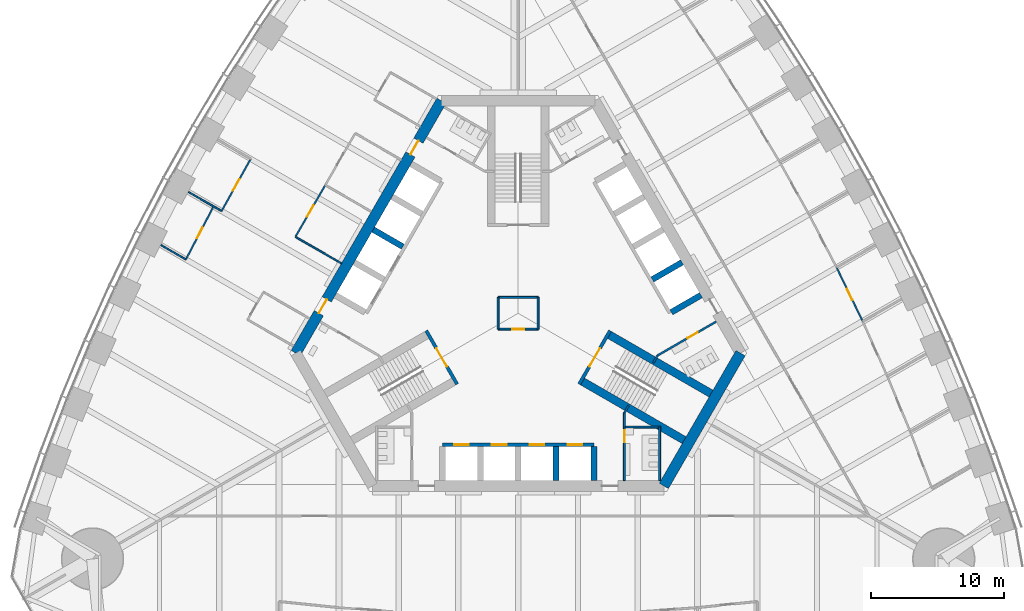
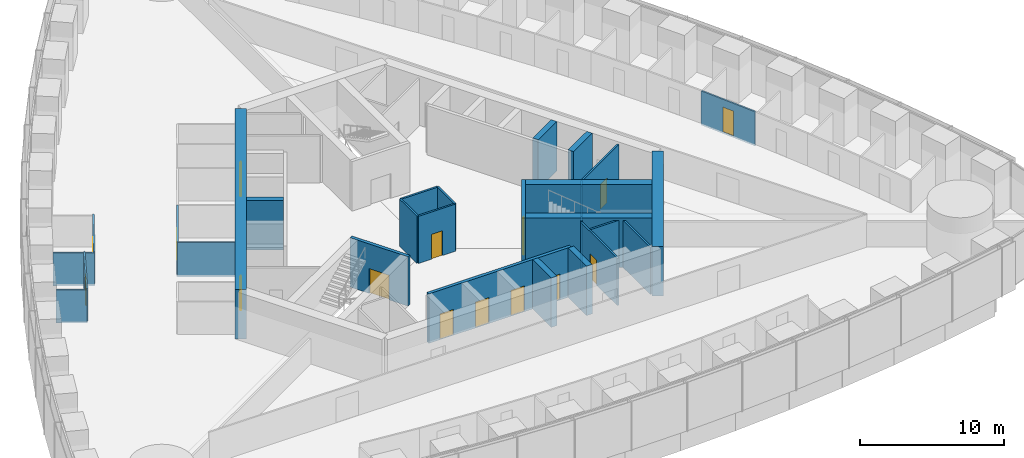
# One storey, part 11 of 18: 29 walls, 15 doors, 15 openings.
"""IFC4 building model written with IfcOpenShell, lengths in metres."""

from ifc_helpers import new_model, si_unit, direction, frame, frame_2d, origin, place, context, subcontext, project, spatial, rectangle, extrude, material, layer, layer_set, type_object, element, fill, save


model = new_model("IFC4")

# Units and contexts
model_context = context("Model", 3, precision=1e-05, world=origin(), true_north=direction((0.0, 1.0)))
body_context = subcontext(model_context, "Body", "Model", "MODEL_VIEW")
ifc_project = project(units=[si_unit("LENGTHUNIT", "METRE"), si_unit("AREAUNIT", "SQUARE_METRE"), si_unit("VOLUMEUNIT", "CUBIC_METRE"), si_unit("PLANEANGLEUNIT", "RADIAN"), si_unit("MASSUNIT", "GRAM", prefix="KILO")], contexts=[model_context])

# Site, building, storey
site_placement = place(None, origin())
site = spatial("IfcSite", under=ifc_project, at=site_placement, CompositionType="ELEMENT")
building_placement = place(site_placement, origin())
building = spatial("IfcBuilding", under=site, at=building_placement, Name="Trefoil Bronze Tower", CompositionType="ELEMENT")
storey_placement = place(building_placement, frame((0.0, 0.0, 62.699951171875)))
storey = spatial("IfcBuildingStorey", under=building, at=storey_placement, Name="L14", CompositionType="ELEMENT", Elevation=62.699951171875)

# Wall
ifc_material_1 = material(Name="Concrete B80", Category="concrete")
ifc_layer_1 = layer(ifc_material_1, 0.800048828125)
ifc_layer_set_1 = layer_set([ifc_layer_1], Name="Core wall 800")
wall_type_1 = type_object("IfcWallType", Name="Core wall 800", PredefinedType="SHEAR", material=ifc_layer_set_1)
wall_1_placement = place(storey_placement, frame((10.9697265625, -13.0, 0.0), z_axis=(0.0, 0.0, 1.0), x_axis=(0.499995765644, 0.866027848477, 0.0)))
element("IfcWall", 1, at=wall_1_placement, inside=storey, type_object=wall_type_1, Name="Core short wall 1 L14", PredefinedType="SHEAR", context=body_context, shape_type="SweptSolid", body=[
    extrude(rectangle(XDim=11.546875, YDim=0.800048828125, at=frame_2d((5.7734375, 0.0))), origin(), (0.0, 0.0, 1.0), 4.199951171875),
])

# Wall, openings, doors
wall_2_placement = place(storey_placement, frame((-5.7734375, 16.0, 0.0), z_axis=(0.0, 0.0, 1.0), x_axis=(-0.500002442456, -0.866023993627, 0.0)))
wall_2 = element("IfcWall", 2, at=wall_2_placement, inside=storey, type_object=wall_type_1, Name="Core long wall 3 L14", PredefinedType="SHEAR", context=body_context, shape_type="SweptSolid", body=[
    extrude(rectangle(XDim=21.939453125, YDim=0.800048828125, at=frame_2d((10.9697265625, 0.0))), origin(), (0.0, 0.0, 1.0), 4.199951171875),
])
opening_1_placement = place(wall_2_placement, frame((17.269775390625, 0.0, 0.0)))
opening_1 = element("IfcOpeningElement", 3, at=opening_1_placement, cuts=wall_2, Name="Opening D2", PredefinedType="OPENING", context=body_context, shape_type="SweptSolid", body=[
    extrude(rectangle(XDim=1.199951171875, YDim=2.10009765625, at=frame_2d((0.60009765625, 1.050048828125))), frame((0.0, 0.409912109375, 0.0), z_axis=(0.0, -1.0, 0.0), x_axis=(1.0, 0.0, 0.0)), (0.0, 0.0, 1.0), 0.820068359375),
])
opening_2_placement = place(wall_2_placement, frame((3.4697265625, 0.0, 0.0)))
opening_2 = element("IfcOpeningElement", 4, at=opening_2_placement, cuts=wall_2, Name="Opening D2", PredefinedType="OPENING", context=body_context, shape_type="SweptSolid", body=[
    extrude(rectangle(XDim=1.199951171875, YDim=2.10009765625, at=frame_2d((0.60009765625, 1.050048828125))), frame((0.0, 0.409912109375, 0.0), z_axis=(0.0, -1.0, 0.0), x_axis=(1.0, 0.0, 0.0)), (0.0, 0.0, 1.0), 0.820068359375),
])
ifc_material_2 = material(Name="Steel door", Category="steel")
door_type_1 = type_object("IfcDoorType", Name="Lobby door 1200", OperationType="SINGLE_SWING_RIGHT", PredefinedType="DOOR", material=ifc_material_2)
door_1_placement = place(opening_1_placement, origin())
door_1 = element("IfcDoor", 5, at=door_1_placement, inside=storey, type_object=door_type_1, Name="Lobby door F3+ L14", OperationType="SINGLE_SWING_RIGHT", OverallHeight=2.10009765625, OverallWidth=1.199951171875, PredefinedType="DOOR", context=body_context, shape_type="SweptSolid", body=[
    extrude(rectangle(XDim=1.199951171875, YDim=2.10009765625, at=frame_2d((0.60009765625, 1.050048828125))), frame((0.0, 0.02490234375, 0.0), z_axis=(0.0, -1.0, 0.0), x_axis=(1.0, 0.0, 0.0)), (0.0, 0.0, 1.0), 0.050048828125),
])
fill(opening_1, door_1)
door_2_placement = place(opening_2_placement, origin())
door_2 = element("IfcDoor", 6, at=door_2_placement, inside=storey, type_object=door_type_1, Name="Lobby door F3- L14", OperationType="SINGLE_SWING_LEFT", OverallHeight=2.10009765625, OverallWidth=1.199951171875, PredefinedType="DOOR", context=body_context, shape_type="SweptSolid", body=[
    extrude(rectangle(XDim=1.199951171875, YDim=2.10009765625, at=frame_2d((0.60009765625, 1.050048828125))), frame((0.0, 0.02490234375, 0.0), z_axis=(0.0, -1.0, 0.0), x_axis=(1.0, 0.0, 0.0)), (0.0, 0.0, 1.0), 0.050048828125),
])
fill(opening_2, door_2)

# Wall, opening, door
ifc_material_3 = material(Name="Glazed partition", Category="glass")
ifc_layer_2 = layer(ifc_material_3, 0.1201171875)
ifc_layer_set_2 = layer_set([ifc_layer_2], Name="Glazed partition 120")
wall_type_2 = type_object("IfcWallType", Name="Glazed partition 120", PredefinedType="PARTITIONING", material=ifc_layer_set_2)
wall_3_placement = place(storey_placement, frame((25.941162109375, -0.611328125, 0.0), z_axis=(0.0, 0.0, 1.0), x_axis=(-0.435857917556, 0.900015486369, 0.0)))
wall_3 = element("IfcWall", 7, at=wall_3_placement, inside=storey, type_object=wall_type_2, Name="Partition F2 L14", PredefinedType="PARTITIONING", context=body_context, shape_type="SweptSolid", body=[
    extrude(rectangle(XDim=4.511962890625, YDim=0.1201171875, at=frame_2d((2.255859375, 0.0))), origin(), (0.0, 0.0, 1.0), 2.900146484375),
])
opening_3_placement = place(wall_3_placement, frame((1.800048828125, 0.0, 0.14990234375)))
opening_3 = element("IfcOpeningElement", 8, at=opening_3_placement, cuts=wall_3, Name="Opening D8", PredefinedType="OPENING", context=body_context, shape_type="SweptSolid", body=[
    extrude(rectangle(XDim=0.89990234375, YDim=2.10009765625, at=frame_2d((0.449951171875, 1.050048828125))), frame((0.0, 0.070068359375, 0.0), z_axis=(0.0, -1.0, 0.0), x_axis=(1.0, 0.0, 0.0)), (0.0, 0.0, 1.0), 0.14013671875),
])
ifc_material_4 = material(Name="Timber door", Category="wood")
door_type_2 = type_object("IfcDoorType", Name="Office door 900", OperationType="SINGLE_SWING_LEFT", PredefinedType="DOOR", material=ifc_material_4)
door_3_placement = place(opening_3_placement, frame((0.89990234375, 0.0, 0.0), z_axis=(0.0, 0.0, 1.0), x_axis=(-1.0, 0.0, 0.0)))
door_3 = element("IfcDoor", 9, at=door_3_placement, inside=storey, type_object=door_type_2, Name="Office door F2 L14", OperationType="SINGLE_SWING_RIGHT", OverallHeight=2.10009765625, OverallWidth=0.89990234375, PredefinedType="DOOR", context=body_context, shape_type="SweptSolid", body=[
    extrude(rectangle(XDim=0.89990234375, YDim=2.10009765625, at=frame_2d((0.449951171875, 1.050048828125))), frame((0.0, 0.02490234375, 0.0), z_axis=(0.0, -1.0, 0.0), x_axis=(1.0, 0.0, 0.0)), (0.0, 0.0, 1.0), 0.050048828125),
])
fill(opening_3, door_3)

wall_4_placement = place(storey_placement, frame((-14.518798828125, 9.652587890625, 0.0), z_axis=(0.0, 0.0, 1.0), x_axis=(-0.500013631625, -0.866017533419, 0.0)))
wall_4 = element("IfcWall", 10, at=wall_4_placement, inside=storey, type_object=wall_type_2, Name="Partition F3 L14", PredefinedType="PARTITIONING", context=body_context, shape_type="SweptSolid", body=[
    extrude(rectangle(XDim=4.499755859375, YDim=0.1201171875, at=frame_2d((2.25, 0.0))), origin(), (0.0, 0.0, 1.0), 2.900146484375),
])
opening_4_placement = place(wall_4_placement, frame((1.75, 0.0, 0.14990234375)))
opening_4 = element("IfcOpeningElement", 11, at=opening_4_placement, cuts=wall_4, Name="Opening D9", PredefinedType="OPENING", context=body_context, shape_type="SweptSolid", body=[
    extrude(rectangle(XDim=1.0, YDim=2.10009765625, at=frame_2d((0.5, 1.050048828125))), frame((0.0, 0.070068359375, 0.0), z_axis=(0.0, -1.0, 0.0), x_axis=(1.0, 0.0, 0.0)), (0.0, 0.0, 1.0), 0.14013671875),
])
ifc_material_5 = material(Name="Glazed timber door", Category="wood")
door_type_3 = type_object("IfcDoorType", Name="Meeting room door 1000", OperationType="SINGLE_SWING_LEFT", PredefinedType="DOOR", material=ifc_material_5)
door_4_placement = place(opening_4_placement, origin())
door_4 = element("IfcDoor", 12, at=door_4_placement, inside=storey, type_object=door_type_3, Name="Project room door F3 L14", OperationType="SINGLE_SWING_RIGHT", OverallHeight=2.10009765625, OverallWidth=1.0, PredefinedType="DOOR", context=body_context, shape_type="SweptSolid", body=[
    extrude(rectangle(XDim=1.0, YDim=2.10009765625, at=frame_2d((0.5, 1.050048828125))), frame((0.0, 0.02490234375, 0.0), z_axis=(0.0, -1.0, 0.0), x_axis=(1.0, 0.0, 0.0)), (0.0, 0.0, 1.0), 0.050048828125),
])
fill(opening_4, door_4)

# Wall
wall_5_placement = place(storey_placement, frame((-13.3046875, 3.755615234375, 0.0), z_axis=(0.0, 0.0, 1.0), x_axis=(-0.866026010844, 0.49999894854, 0.0)))
element("IfcWall", 13, at=wall_5_placement, inside=storey, type_object=wall_type_2, Name="Partition F3 L14", PredefinedType="PARTITIONING", context=body_context, shape_type="SweptSolid", body=[
    extrude(rectangle(XDim=4.0, YDim=0.1201171875, at=frame_2d((2.0, 0.0))), origin(), (0.0, 0.0, 1.0), 2.900146484375),
])

# Wall, opening, door
wall_6_placement = place(storey_placement, frame((-20.134033203125, 11.624267578125, 0.0), z_axis=(0.0, 0.0, 1.0), x_axis=(-0.487373854787, -0.873193406795, 0.0)))
wall_6 = element("IfcWall", 14, at=wall_6_placement, inside=storey, type_object=wall_type_2, Name="Partition F3 L14", PredefinedType="PARTITIONING", context=body_context, shape_type="SweptSolid", body=[
    extrude(rectangle(XDim=4.500244140625, YDim=0.1201171875, at=frame_2d((2.25, 0.0))), origin(), (0.0, 0.0, 1.0), 2.900146484375),
])
opening_5_placement = place(wall_6_placement, frame((1.75, 0.0, 0.14990234375)))
opening_5 = element("IfcOpeningElement", 15, at=opening_5_placement, cuts=wall_6, Name="Opening D9", PredefinedType="OPENING", context=body_context, shape_type="SweptSolid", body=[
    extrude(rectangle(XDim=1.0, YDim=2.10009765625, at=frame_2d((0.5, 1.050048828125))), frame((0.0, 0.070068359375, 0.0), z_axis=(0.0, -1.0, 0.0), x_axis=(1.0, 0.0, 0.0)), (0.0, 0.0, 1.0), 0.14013671875),
])
door_5_placement = place(opening_5_placement, frame((1.0, 0.0, 0.0), z_axis=(0.0, 0.0, 1.0), x_axis=(-1.0, 0.0, 0.0)))
door_5 = element("IfcDoor", 16, at=door_5_placement, inside=storey, type_object=door_type_3, Name="Project room door F3 L14", OperationType="SINGLE_SWING_RIGHT", OverallHeight=2.10009765625, OverallWidth=1.0, PredefinedType="DOOR", context=body_context, shape_type="SweptSolid", body=[
    extrude(rectangle(XDim=1.0, YDim=2.10009765625, at=frame_2d((0.5, 1.050048828125))), frame((0.0, 0.02490234375, 0.0), z_axis=(0.0, -1.0, 0.0), x_axis=(1.0, 0.0, 0.0)), (0.0, 0.0, 1.0), 0.050048828125),
])
fill(opening_5, door_5)

wall_7_placement = place(storey_placement, frame((-22.93359375, 8.044677734375, 0.0), z_axis=(0.0, 0.0, 1.0), x_axis=(-0.461852697957, -0.886956642339, 0.0)))
wall_7 = element("IfcWall", 17, at=wall_7_placement, inside=storey, type_object=wall_type_2, Name="Partition F3 L14", PredefinedType="PARTITIONING", context=body_context, shape_type="SweptSolid", body=[
    extrude(rectangle(XDim=4.50439453125, YDim=0.1201171875, at=frame_2d((2.252197265625, 0.0))), origin(), (0.0, 0.0, 1.0), 2.900146484375),
])
opening_6_placement = place(wall_7_placement, frame((1.800048828125, 0.0, 0.14990234375)))
opening_6 = element("IfcOpeningElement", 18, at=opening_6_placement, cuts=wall_7, Name="Opening D8", PredefinedType="OPENING", context=body_context, shape_type="SweptSolid", body=[
    extrude(rectangle(XDim=0.89990234375, YDim=2.10009765625, at=frame_2d((0.449951171875, 1.050048828125))), frame((0.0, 0.070068359375, 0.0), z_axis=(0.0, -1.0, 0.0), x_axis=(1.0, 0.0, 0.0)), (0.0, 0.0, 1.0), 0.14013671875),
])
door_6_placement = place(opening_6_placement, frame((0.89990234375, 0.0, 0.0), z_axis=(0.0, 0.0, 1.0), x_axis=(-1.0, 0.0, 0.0)))
door_6 = element("IfcDoor", 19, at=door_6_placement, inside=storey, type_object=door_type_2, Name="Pantry door F3 L14", OperationType="SINGLE_SWING_RIGHT", OverallHeight=2.10009765625, OverallWidth=0.89990234375, PredefinedType="DOOR", context=body_context, shape_type="SweptSolid", body=[
    extrude(rectangle(XDim=0.89990234375, YDim=2.10009765625, at=frame_2d((0.449951171875, 1.050048828125))), frame((0.0, 0.02490234375, 0.0), z_axis=(0.0, -1.0, 0.0), x_axis=(1.0, 0.0, 0.0)), (0.0, 0.0, 1.0), 0.050048828125),
])
fill(opening_6, door_6)

# Walls
wall_8_placement = place(storey_placement, frame((-22.327392578125, 7.694580078125, 0.0), z_axis=(0.0, 0.0, 1.0), x_axis=(-0.866035389965, 0.499982703029, 0.0)))
element("IfcWall", 20, at=wall_8_placement, inside=storey, type_object=wall_type_2, Name="Partition F3 L14", PredefinedType="PARTITIONING", context=body_context, shape_type="SweptSolid", body=[
    extrude(rectangle(XDim=2.869140625, YDim=0.1201171875, at=frame_2d((1.4345703125, 0.0))), origin(), (0.0, 0.0, 1.0), 2.800048828125),
])
wall_9_placement = place(storey_placement, frame((-25.013916015625, 4.049560546875, 0.0), z_axis=(0.0, 0.0, 1.0), x_axis=(-0.86605802883, 0.499943487506, 0.0)))
element("IfcWall", 21, at=wall_9_placement, inside=storey, type_object=wall_type_2, Name="Partition F3 L14", PredefinedType="PARTITIONING", context=body_context, shape_type="SweptSolid", body=[
    extrude(rectangle(XDim=2.167236328125, YDim=0.1201171875, at=frame_2d((1.08349609375, 0.0))), origin(), (0.0, 0.0, 1.0), 2.800048828125),
])
ifc_material_6 = material(Name="Concrete B80", Category="concrete")
ifc_layer_3 = layer(ifc_material_6, 0.449951171875)
ifc_layer_set_3 = layer_set([ifc_layer_3], Name="Outrigger shaft wall 450")
wall_type_3 = type_object("IfcWallType", Name="Outrigger shaft wall 450", PredefinedType="SHEAR", material=ifc_layer_set_3)
for number, where, z_axis, x_axis, name in (
    (22, (2.85009765625, -10.02490234375, 0.0), (0.0, 0.0, 1.0), (0.0, -1.0, 0.0), "Lift shaft side wall A3 L14"),
    (23, (5.699951171875, -10.02490234375, 0.0), (0.0, 0.0, 1.0), (0.0, -1.0, 0.0), "Lift shaft side wall A4 L14"),
):
    element("IfcWall", number, at=place(storey_placement, frame(where, z_axis=z_axis, x_axis=x_axis)), inside=storey, type_object=wall_type_3, Name=name, PredefinedType="SHEAR", context=body_context, shape_type="SweptSolid", body=[
        extrude(rectangle(XDim=2.5751953125, YDim=0.449951171875, at=frame_2d((1.28759765625, 0.0))), origin(), (0.0, 0.0, 1.0), 4.199951171875),
    ])
for number, where, z_axis, x_axis, name in (
    (24, (11.531982421875, 0.076171875, 0.0), (0.0, 0.0, 1.0), (0.866005588531, 0.500034319456, 0.0), "Lift shaft side wall B0 L14"),
    (25, (10.10693359375, 2.54443359375, 0.0), (0.0, 0.0, 1.0), (0.866046643894, 0.499963209246, 0.0), "Lift shaft side wall B1 L14"),
    (26, (-8.681884765625, 5.012451171875, 0.0), (0.0, 0.0, 1.0), (-0.866005588531, 0.500034319456, 0.0), "Lift shaft side wall C2 L14"),
):
    element("IfcWall", number, at=place(storey_placement, frame(where, z_axis=z_axis, x_axis=x_axis)), inside=storey, type_object=wall_type_3, Name=name, PredefinedType="SHEAR", context=body_context, shape_type="SweptSolid", body=[
        extrude(rectangle(XDim=2.574951171875, YDim=0.449951171875, at=frame_2d((1.28759765625, 0.0))), origin(), (0.0, 0.0, 1.0), 4.199951171875),
    ])

# Wall, opening, door
ifc_material_7 = material(Name="Gypsum board on steel studs", Category="steel")
ifc_layer_4 = layer(ifc_material_7, 0.14990234375)
ifc_layer_set_4 = layer_set([ifc_layer_4], Name="Partition 150")
wall_type_4 = type_object("IfcWallType", Name="Partition 150", PredefinedType="PARTITIONING", material=ifc_layer_set_4)
wall_10_placement = place(storey_placement, frame((8.0, -7.5, 0.0), z_axis=(0.0, 0.0, 1.0), x_axis=(0.0, -1.0, 0.0)))
wall_10 = element("IfcWall", 27, at=wall_10_placement, inside=storey, type_object=wall_type_4, Name="Passage wall F1+ L14", PredefinedType="PARTITIONING", context=body_context, shape_type="SweptSolid", body=[
    extrude(rectangle(XDim=5.10009765625, YDim=0.14990234375, at=frame_2d((2.550048828125, 0.0))), origin(), (0.0, 0.0, 1.0), 4.0),
])
opening_7_placement = place(wall_10_placement, frame((1.300048828125, 0.0, 0.0)))
opening_7 = element("IfcOpeningElement", 28, at=opening_7_placement, cuts=wall_10, Name="Opening D3", PredefinedType="OPENING", context=body_context, shape_type="SweptSolid", body=[
    extrude(rectangle(XDim=0.89990234375, YDim=2.10009765625, at=frame_2d((0.449951171875, 1.050048828125))), frame((0.0, 0.0849609375, 0.0), z_axis=(0.0, -1.0, 0.0), x_axis=(1.0, 0.0, 0.0)), (0.0, 0.0, 1.0), 0.169921875),
])
ifc_material_8 = material(Name="Timber door", Category="wood")
door_type_4 = type_object("IfcDoorType", Name="WC door 900", OperationType="SINGLE_SWING_LEFT", PredefinedType="DOOR", material=ifc_material_8)
door_7_placement = place(opening_7_placement, origin())
door_7 = element("IfcDoor", 29, at=door_7_placement, inside=storey, type_object=door_type_4, Name="WC (men) door L14", OperationType="SINGLE_SWING_LEFT", OverallHeight=2.10009765625, OverallWidth=0.89990234375, PredefinedType="DOOR", context=body_context, shape_type="SweptSolid", body=[
    extrude(rectangle(XDim=0.89990234375, YDim=2.10009765625, at=frame_2d((0.449951171875, 1.050048828125))), frame((0.0, 0.02490234375, 0.0), z_axis=(0.0, -1.0, 0.0), x_axis=(1.0, 0.0, 0.0)), (0.0, 0.0, 1.0), 0.050048828125),
])
fill(opening_7, door_7)

wall_11_placement = place(storey_placement, frame((10.4951171875, -3.17822265625, 0.0), z_axis=(0.0, 0.0, 1.0), x_axis=(0.86602216432, 0.500005610874, 0.0)))
wall_11 = element("IfcWall", 30, at=wall_11_placement, inside=storey, type_object=wall_type_4, Name="Passage wall F2- L14", PredefinedType="PARTITIONING", context=body_context, shape_type="SweptSolid", body=[
    extrude(rectangle(XDim=5.10009765625, YDim=0.14990234375, at=frame_2d((2.550048828125, 0.0))), origin(), (0.0, 0.0, 1.0), 4.0),
])
opening_8_placement = place(wall_11_placement, frame((2.60009765625, 0.0, 0.0)))
opening_8 = element("IfcOpeningElement", 31, at=opening_8_placement, cuts=wall_11, Name="Opening D3", PredefinedType="OPENING", context=body_context, shape_type="SweptSolid", body=[
    extrude(rectangle(XDim=0.89990234375, YDim=2.10009765625, at=frame_2d((0.449951171875, 1.050048828125))), frame((0.0, 0.0849609375, 0.0), z_axis=(0.0, -1.0, 0.0), x_axis=(1.0, 0.0, 0.0)), (0.0, 0.0, 1.0), 0.169921875),
])
door_8_placement = place(opening_8_placement, frame((0.89990234375, 0.0, 0.0), z_axis=(0.0, 0.0, 1.0), x_axis=(-1.0, 0.0, 0.0)))
door_8 = element("IfcDoor", 32, at=door_8_placement, inside=storey, type_object=door_type_4, Name="WC (women) door L14", OperationType="SINGLE_SWING_LEFT", OverallHeight=2.10009765625, OverallWidth=0.89990234375, PredefinedType="DOOR", context=body_context, shape_type="SweptSolid", body=[
    extrude(rectangle(XDim=0.89990234375, YDim=2.10009765625, at=frame_2d((0.449951171875, 1.050048828125))), frame((0.0, 0.02490234375, 0.0), z_axis=(0.0, -1.0, 0.0), x_axis=(1.0, 0.0, 0.0)), (0.0, 0.0, 1.0), 0.050048828125),
])
fill(opening_8, door_8)

# Walls
for number, where, z_axis, x_axis, name in (
    (33, (8.0, -7.5, 0.0), (0.0, 0.0, 1.0), (0.499842556608, 0.866116284689, 0.0), "WC wall ST1-1 L14"),
    (34, (10.4951171875, -3.17822265625, 0.0), (0.0, 0.0, 1.0), (-0.499842556608, -0.866116284689, 0.0), "WC wall ST1+1 L14"),
):
    element("IfcWall", number, at=place(storey_placement, frame(where, z_axis=z_axis, x_axis=x_axis)), inside=storey, type_object=wall_type_4, Name=name, PredefinedType="PARTITIONING", context=body_context, shape_type="SweptSolid", body=[
        extrude(rectangle(XDim=0.645263671875, YDim=0.14990234375, at=frame_2d((0.32275390625, 0.0))), origin(), (0.0, 0.0, 1.0), 4.0),
    ])
wall_12_placement = place(storey_placement, frame((10.659912109375, -8.5, 0.0), z_axis=(0.0, 0.0, 1.0), x_axis=(0.0, -1.0, 0.0)))
element("IfcWall", 35, at=wall_12_placement, inside=storey, type_object=wall_type_4, Name="WC partition WC (men) L14", PredefinedType="PARTITIONING", context=body_context, shape_type="SweptSolid", body=[
    extrude(rectangle(XDim=4.10009765625, YDim=0.14990234375, at=frame_2d((2.050048828125, 0.0))), origin(), (0.0, 0.0, 1.0), 4.0),
])
wall_13_placement = place(storey_placement, frame((8.074951171875, -8.574951171875, 0.0), z_axis=(0.0, 0.0, 1.0), x_axis=(1.0, 0.0, 0.0)))
element("IfcWall", 36, at=wall_13_placement, inside=storey, type_object=wall_type_4, Name="WC partition WC (men) L14", PredefinedType="PARTITIONING", context=body_context, shape_type="SweptSolid", body=[
    extrude(rectangle(XDim=2.510009765625, YDim=0.14990234375, at=frame_2d((1.2548828125, 0.0))), origin(), (0.0, 0.0, 1.0), 4.0),
])

# Wall, opening, door
ifc_material_9 = material(Name="Gypsum board on steel studs", Category="steel")
ifc_layer_5 = layer(ifc_material_9, 0.14990234375)
ifc_layer_set_5 = layer_set([ifc_layer_5], Name="Riser wall 150")
wall_type_5 = type_object("IfcWallType", Name="Riser wall 150", PredefinedType="PARTITIONING", material=ifc_layer_set_5)
wall_14_placement = place(storey_placement, frame((-1.5, -1.199951171875, 0.0), z_axis=(0.0, 0.0, 1.0), x_axis=(1.0, 0.0, 0.0)))
wall_14 = element("IfcWall", 37, at=wall_14_placement, inside=storey, type_object=wall_type_5, Name="Riser wall L14", PredefinedType="PARTITIONING", context=body_context, shape_type="SweptSolid", body=[
    extrude(rectangle(XDim=3.0, YDim=0.14990234375, at=frame_2d((1.5, 0.0))), origin(), (0.0, 0.0, 1.0), 4.0),
])
opening_9_placement = place(wall_14_placement, frame((1.050048828125, 0.0, 0.0)))
opening_9 = element("IfcOpeningElement", 38, at=opening_9_placement, cuts=wall_14, Name="Opening D4", PredefinedType="OPENING", context=body_context, shape_type="SweptSolid", body=[
    extrude(rectangle(XDim=0.89990234375, YDim=2.10009765625, at=frame_2d((0.449951171875, 1.050048828125))), frame((0.0, 0.0849609375, 0.0), z_axis=(0.0, -1.0, 0.0), x_axis=(1.0, 0.0, 0.0)), (0.0, 0.0, 1.0), 0.169921875),
])
ifc_material_10 = material(Name="Steel door", Category="steel")
door_type_5 = type_object("IfcDoorType", Name="Riser door 900", OperationType="SINGLE_SWING_LEFT", PredefinedType="DOOR", material=ifc_material_10)
door_9_placement = place(opening_9_placement, frame((0.89990234375, 0.0, 0.0), z_axis=(0.0, 0.0, 1.0), x_axis=(-1.0, 0.0, 0.0)))
door_9 = element("IfcDoor", 39, at=door_9_placement, inside=storey, type_object=door_type_5, Name="Riser door L14", OperationType="SINGLE_SWING_LEFT", OverallHeight=2.10009765625, OverallWidth=0.89990234375, PredefinedType="DOOR", context=body_context, shape_type="SweptSolid", body=[
    extrude(rectangle(XDim=0.89990234375, YDim=2.10009765625, at=frame_2d((0.449951171875, 1.050048828125))), frame((0.0, 0.02490234375, 0.0), z_axis=(0.0, -1.0, 0.0), x_axis=(1.0, 0.0, 0.0)), (0.0, 0.0, 1.0), 0.050048828125),
])
fill(opening_9, door_9)

# Walls
wall_15_placement = place(storey_placement, frame((1.5, -1.199951171875, 0.0), z_axis=(0.0, 0.0, 1.0), x_axis=(0.0, 1.0, 0.0)))
element("IfcWall", 40, at=wall_15_placement, inside=storey, type_object=wall_type_5, Name="Riser wall L14", PredefinedType="PARTITIONING", context=body_context, shape_type="SweptSolid", body=[
    extrude(rectangle(XDim=2.39990234375, YDim=0.14990234375, at=frame_2d((1.199951171875, 0.0))), origin(), (0.0, 0.0, 1.0), 4.0),
])
wall_16_placement = place(storey_placement, frame((1.5, 1.199951171875, 0.0), z_axis=(0.0, 0.0, 1.0), x_axis=(-1.0, 0.0, 0.0)))
element("IfcWall", 41, at=wall_16_placement, inside=storey, type_object=wall_type_5, Name="Riser wall L14", PredefinedType="PARTITIONING", context=body_context, shape_type="SweptSolid", body=[
    extrude(rectangle(XDim=3.0, YDim=0.14990234375, at=frame_2d((1.5, 0.0))), origin(), (0.0, 0.0, 1.0), 4.0),
])
wall_17_placement = place(storey_placement, frame((-1.5, 1.199951171875, 0.0), z_axis=(0.0, 0.0, 1.0), x_axis=(0.0, -1.0, 0.0)))
element("IfcWall", 42, at=wall_17_placement, inside=storey, type_object=wall_type_5, Name="Riser wall L14", PredefinedType="PARTITIONING", context=body_context, shape_type="SweptSolid", body=[
    extrude(rectangle(XDim=2.39990234375, YDim=0.14990234375, at=frame_2d((1.199951171875, 0.0))), origin(), (0.0, 0.0, 1.0), 4.0),
])

# Wall, openings, doors
ifc_material_11 = material(Name="Concrete B80", Category="concrete")
ifc_layer_6 = layer(ifc_material_11, 0.25)
ifc_layer_set_6 = layer_set([ifc_layer_6], Name="Shaft wall 250")
wall_type_6 = type_object("IfcWallType", Name="Shaft wall 250", PredefinedType="SHEAR", material=ifc_layer_set_6)
wall_18_placement = place(storey_placement, frame((-5.699951171875, -9.89990234375, 0.0), z_axis=(0.0, 0.0, 1.0), x_axis=(1.0, 0.0, 0.0)))
wall_18 = element("IfcWall", 43, at=wall_18_placement, inside=storey, type_object=wall_type_6, Name="Lift shaft front wall A L14", PredefinedType="SHEAR", context=body_context, shape_type="SweptSolid", body=[
    extrude(rectangle(XDim=11.39990234375, YDim=0.25, at=frame_2d((5.699951171875, 0.0))), origin(), (0.0, 0.0, 1.0), 4.199951171875),
])
opening_10_placement = place(wall_18_placement, frame((0.875, 0.0, 0.0)))
opening_10 = element("IfcOpeningElement", 44, at=opening_10_placement, cuts=wall_18, Name="Opening LD-P11", PredefinedType="OPENING", context=body_context, shape_type="SweptSolid", body=[
    extrude(rectangle(XDim=1.10009765625, YDim=2.199951171875, at=frame_2d((0.550048828125, 1.10009765625))), frame((0.0, 0.135009765625, 0.0), z_axis=(0.0, -1.0, 0.0), x_axis=(1.0, 0.0, 0.0)), (0.0, 0.0, 1.0), 0.27001953125),
])
opening_11_placement = place(wall_18_placement, frame((3.72509765625, 0.0, 0.0)))
opening_11 = element("IfcOpeningElement", 45, at=opening_11_placement, cuts=wall_18, Name="Opening LD-P12", PredefinedType="OPENING", context=body_context, shape_type="SweptSolid", body=[
    extrude(rectangle(XDim=1.10009765625, YDim=2.199951171875, at=frame_2d((0.550048828125, 1.10009765625))), frame((0.0, 0.135009765625, 0.0), z_axis=(0.0, -1.0, 0.0), x_axis=(1.0, 0.0, 0.0)), (0.0, 0.0, 1.0), 0.27001953125),
])
opening_12_placement = place(wall_18_placement, frame((6.574951171875, 0.0, 0.0)))
opening_12 = element("IfcOpeningElement", 46, at=opening_12_placement, cuts=wall_18, Name="Opening LD-P13", PredefinedType="OPENING", context=body_context, shape_type="SweptSolid", body=[
    extrude(rectangle(XDim=1.10009765625, YDim=2.199951171875, at=frame_2d((0.550048828125, 1.10009765625))), frame((0.0, 0.135009765625, 0.0), z_axis=(0.0, -1.0, 0.0), x_axis=(1.0, 0.0, 0.0)), (0.0, 0.0, 1.0), 0.27001953125),
])
opening_13_placement = place(wall_18_placement, frame((9.425048828125, 0.0, 0.0)))
opening_13 = element("IfcOpeningElement", 47, at=opening_13_placement, cuts=wall_18, Name="Opening LD-P14", PredefinedType="OPENING", context=body_context, shape_type="SweptSolid", body=[
    extrude(rectangle(XDim=1.10009765625, YDim=2.199951171875, at=frame_2d((0.550048828125, 1.10009765625))), frame((0.0, 0.135009765625, 0.0), z_axis=(0.0, -1.0, 0.0), x_axis=(1.0, 0.0, 0.0)), (0.0, 0.0, 1.0), 0.27001953125),
])
ifc_material_12 = material(Name="Steel door", Category="steel")
door_type_6 = type_object("IfcDoorType", Name="Lift landing door 1100", OperationType="DOUBLE_DOOR_SLIDING", PredefinedType="DOOR", material=ifc_material_12)
door_10_placement = place(opening_10_placement, origin())
door_10 = element("IfcDoor", 48, at=door_10_placement, inside=storey, type_object=door_type_6, Name="Lift P11 landing door L14", OperationType="DOUBLE_DOOR_SLIDING", OverallHeight=2.199951171875, OverallWidth=1.10009765625, PredefinedType="DOOR", context=body_context, shape_type="SweptSolid", body=[
    extrude(rectangle(XDim=1.10009765625, YDim=2.199951171875, at=frame_2d((0.550048828125, 1.10009765625))), frame((0.0, 0.02490234375, 0.0), z_axis=(0.0, -1.0, 0.0), x_axis=(1.0, 0.0, 0.0)), (0.0, 0.0, 1.0), 0.050048828125),
])
fill(opening_10, door_10)
door_11_placement = place(opening_11_placement, origin())
door_11 = element("IfcDoor", 49, at=door_11_placement, inside=storey, type_object=door_type_6, Name="Lift P12 landing door L14", OperationType="DOUBLE_DOOR_SLIDING", OverallHeight=2.199951171875, OverallWidth=1.10009765625, PredefinedType="DOOR", context=body_context, shape_type="SweptSolid", body=[
    extrude(rectangle(XDim=1.10009765625, YDim=2.199951171875, at=frame_2d((0.550048828125, 1.10009765625))), frame((0.0, 0.02490234375, 0.0), z_axis=(0.0, -1.0, 0.0), x_axis=(1.0, 0.0, 0.0)), (0.0, 0.0, 1.0), 0.050048828125),
])
fill(opening_11, door_11)
door_12_placement = place(opening_12_placement, origin())
door_12 = element("IfcDoor", 50, at=door_12_placement, inside=storey, type_object=door_type_6, Name="Lift P13 landing door L14", OperationType="DOUBLE_DOOR_SLIDING", OverallHeight=2.199951171875, OverallWidth=1.10009765625, PredefinedType="DOOR", context=body_context, shape_type="SweptSolid", body=[
    extrude(rectangle(XDim=1.10009765625, YDim=2.199951171875, at=frame_2d((0.550048828125, 1.10009765625))), frame((0.0, 0.02490234375, 0.0), z_axis=(0.0, -1.0, 0.0), x_axis=(1.0, 0.0, 0.0)), (0.0, 0.0, 1.0), 0.050048828125),
])
fill(opening_12, door_12)
door_13_placement = place(opening_13_placement, origin())
door_13 = element("IfcDoor", 51, at=door_13_placement, inside=storey, type_object=door_type_6, Name="Lift P14 landing door L14", OperationType="DOUBLE_DOOR_SLIDING", OverallHeight=2.199951171875, OverallWidth=1.10009765625, PredefinedType="DOOR", context=body_context, shape_type="SweptSolid", body=[
    extrude(rectangle(XDim=1.10009765625, YDim=2.199951171875, at=frame_2d((0.550048828125, 1.10009765625))), frame((0.0, 0.02490234375, 0.0), z_axis=(0.0, -1.0, 0.0), x_axis=(1.0, 0.0, 0.0)), (0.0, 0.0, 1.0), 0.050048828125),
])
fill(opening_13, door_13)

# Wall, opening, door
wall_19_placement = place(storey_placement, frame((4.5966796875, -5.338623046875, 0.0), z_axis=(0.0, 0.0, 1.0), x_axis=(0.499984536904, 0.866034331223, 0.0)))
wall_19 = element("IfcWall", 52, at=wall_19_placement, inside=storey, type_object=wall_type_6, Name="Stair end wall ST1 L14", PredefinedType="SHEAR", context=body_context, shape_type="SweptSolid", body=[
    extrude(rectangle(XDim=4.650146484375, YDim=0.25, at=frame_2d((2.3251953125, 0.0))), origin(), (0.0, 0.0, 1.0), 4.199951171875),
])
opening_14_placement = place(wall_19_placement, frame((1.52490234375, 0.0, 0.0)))
opening_14 = element("IfcOpeningElement", 53, at=opening_14_placement, cuts=wall_19, Name="Opening D1", PredefinedType="OPENING", context=body_context, shape_type="SweptSolid", body=[
    extrude(rectangle(XDim=1.60009765625, YDim=2.10009765625, at=frame_2d((0.800048828125, 1.050048828125))), frame((0.0, 0.135009765625, 0.0), z_axis=(0.0, -1.0, 0.0), x_axis=(1.0, 0.0, 0.0)), (0.0, 0.0, 1.0), 0.27001953125),
])
ifc_material_13 = material(Name="Steel door", Category="steel")
door_type_7 = type_object("IfcDoorType", Name="Stair door 1600", OperationType="DOUBLE_DOOR_SINGLE_SWING", PredefinedType="DOOR", material=ifc_material_13)
door_14_placement = place(opening_14_placement, frame((1.60009765625, 0.0, 0.0), z_axis=(0.0, 0.0, 1.0), x_axis=(-1.0, 0.0, 0.0)))
door_14 = element("IfcDoor", 54, at=door_14_placement, inside=storey, type_object=door_type_7, Name="Stair door ST1 L14", OperationType="DOUBLE_DOOR_SINGLE_SWING", OverallHeight=2.10009765625, OverallWidth=1.60009765625, PredefinedType="DOOR", context=body_context, shape_type="SweptSolid", body=[
    extrude(rectangle(XDim=1.60009765625, YDim=2.10009765625, at=frame_2d((0.800048828125, 1.050048828125))), frame((0.0, 0.02490234375, 0.0), z_axis=(0.0, -1.0, 0.0), x_axis=(1.0, 0.0, 0.0)), (0.0, 0.0, 1.0), 0.050048828125),
])
fill(opening_14, door_14)

wall_20_placement = place(storey_placement, frame((-6.921630859375, -1.3115234375, 0.0), z_axis=(0.0, 0.0, 1.0), x_axis=(0.499984536904, -0.866034331223, 0.0)))
wall_20 = element("IfcWall", 55, at=wall_20_placement, inside=storey, type_object=wall_type_6, Name="Stair end wall ST3 L14", PredefinedType="SHEAR", context=body_context, shape_type="SweptSolid", body=[
    extrude(rectangle(XDim=4.650146484375, YDim=0.25, at=frame_2d((2.3251953125, 0.0))), origin(), (0.0, 0.0, 1.0), 4.199951171875),
])
opening_15_placement = place(wall_20_placement, frame((1.52490234375, 0.0, 0.0)))
opening_15 = element("IfcOpeningElement", 56, at=opening_15_placement, cuts=wall_20, Name="Opening D1", PredefinedType="OPENING", context=body_context, shape_type="SweptSolid", body=[
    extrude(rectangle(XDim=1.60009765625, YDim=2.10009765625, at=frame_2d((0.800048828125, 1.050048828125))), frame((0.0, 0.135009765625, 0.0), z_axis=(0.0, -1.0, 0.0), x_axis=(1.0, 0.0, 0.0)), (0.0, 0.0, 1.0), 0.27001953125),
])
door_15_placement = place(opening_15_placement, frame((1.60009765625, 0.0, 0.0), z_axis=(0.0, 0.0, 1.0), x_axis=(-1.0, 0.0, 0.0)))
door_15 = element("IfcDoor", 57, at=door_15_placement, inside=storey, type_object=door_type_7, Name="Stair door ST3 L14", OperationType="DOUBLE_DOOR_SINGLE_SWING", OverallHeight=2.10009765625, OverallWidth=1.60009765625, PredefinedType="DOOR", context=body_context, shape_type="SweptSolid", body=[
    extrude(rectangle(XDim=1.60009765625, YDim=2.10009765625, at=frame_2d((0.800048828125, 1.050048828125))), frame((0.0, 0.02490234375, 0.0), z_axis=(0.0, -1.0, 0.0), x_axis=(1.0, 0.0, 0.0)), (0.0, 0.0, 1.0), 0.050048828125),
])
fill(opening_15, door_15)

# Walls
ifc_material_14 = material(Name="Concrete B80", Category="concrete")
ifc_layer_7 = layer(ifc_material_14, 0.60009765625)
ifc_layer_set_7 = layer_set([ifc_layer_7], Name="Stair wall 600")
wall_type_7 = type_object("IfcWallType", Name="Stair wall 600", PredefinedType="SHEAR", material=ifc_layer_set_7)
for number, where, z_axis, x_axis, name in (
    (58, (4.638427734375, -5.01611328125, 0.0), (0.0, 0.0, 1.0), (0.866019375473, -0.500010441196, 0.0), "Stair wall ST1 L14"),
    (59, (6.663330078125, -1.5087890625, 0.0), (0.0, 0.0, 1.0), (0.866019375473, -0.500010441196, 0.0), "Stair wall ST1 L14"),
):
    element("IfcWall", number, at=place(storey_placement, frame(where, z_axis=z_axis, x_axis=x_axis)), inside=storey, type_object=wall_type_7, Name=name, PredefinedType="SHEAR", context=body_context, shape_type="SweptSolid", body=[
        extrude(rectangle(XDim=9.074951171875, YDim=0.60009765625, at=frame_2d((4.53759765625, 0.0))), origin(), (0.0, 0.0, 1.0), 4.199951171875),
    ])

save(model, "model.ifc")
